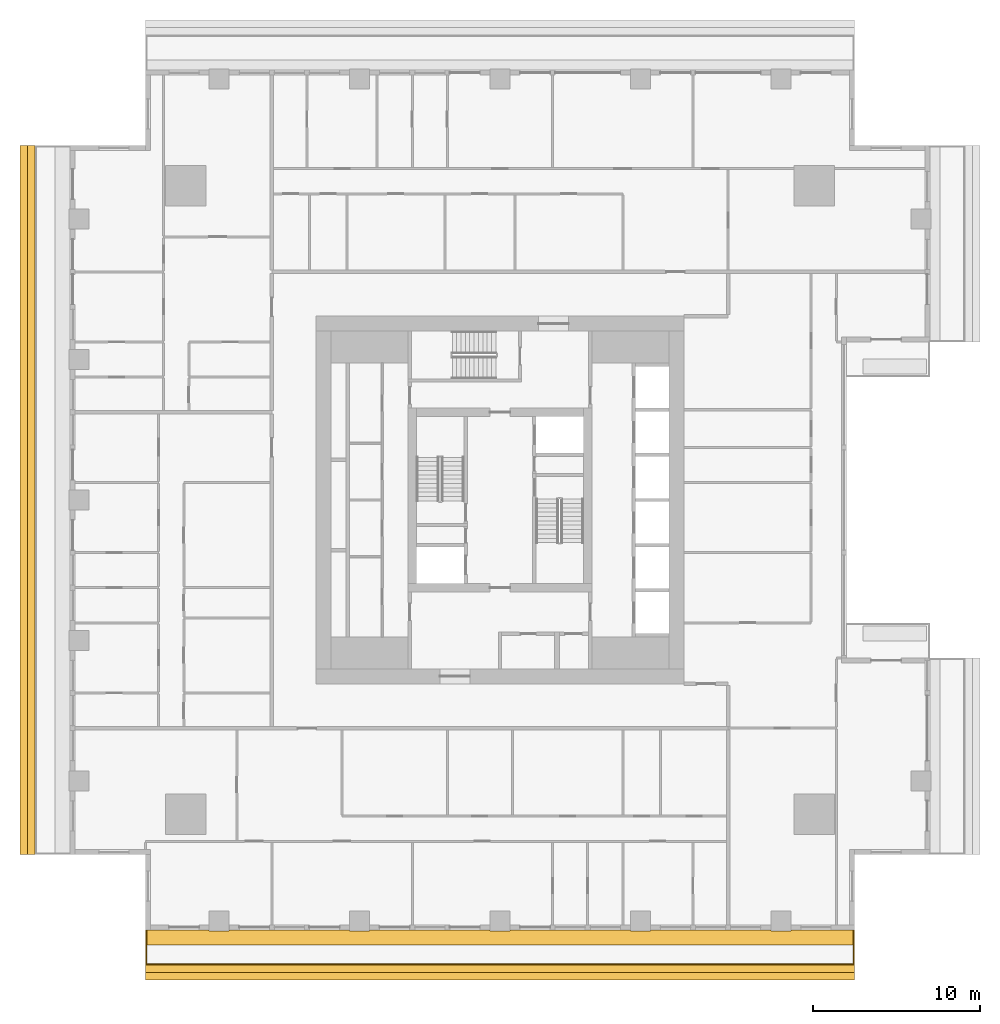
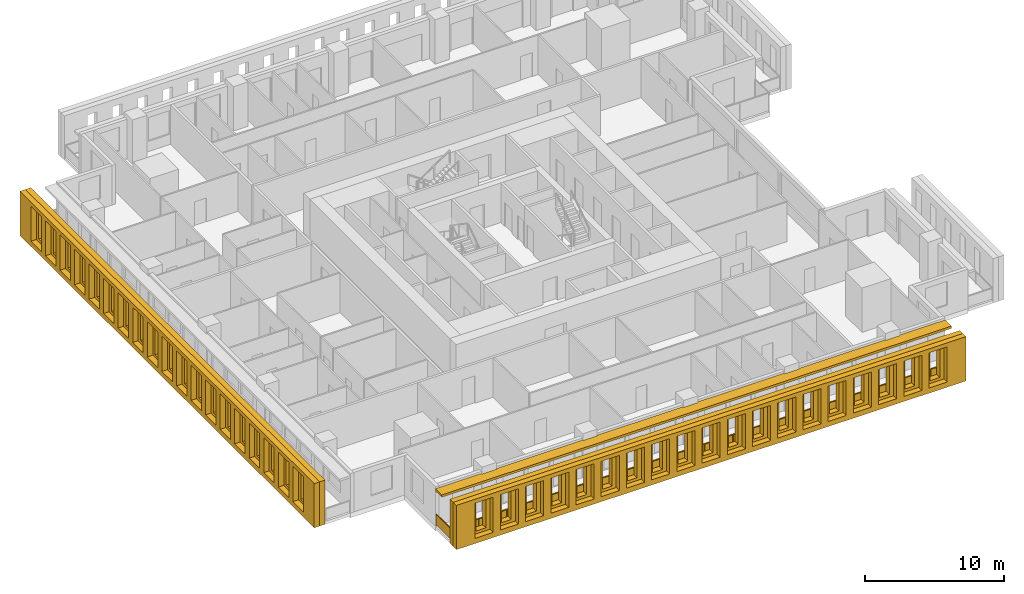
# One storey, part 10 of 15: 5 shading devices, 1 railing.
"""IFC4 building model written with IfcOpenShell, lengths in metres."""

import ifcopenshell
import ifcopenshell.guid

model = None  # the IFC model being written
_history = None  # IfcOwnerHistory: only IFC2X3 demands one
_inside = {}  # id of a spatial element -> (the spatial element, [elements in it])
_under = {}  # id of a project, library or spatial element -> (it, [spatial elements below it])
_declared = {}  # id of a project -> (the project, [libraries it declares])
_typed = {}  # id of a type object -> (the type object, [elements of that type])
_made_of = {}  # id of a material, layer set ... -> (it, [elements and type objects made of it])


def new_model(schema):
    """Start an empty IFC model of exactly this schema.

    Asked for "IFC4X3", IfcOpenShell would pick the latest addendum, in which some entities
    have other attributes; the version numbers below select the first issue.
    IFC2X3 requires an IfcOwnerHistory on every rooted entity: one is made here for all.
    """
    global model, _history
    if schema == "IFC4X3":
        model = ifcopenshell.file(schema_version=(4, 3, 0, 0))
    else:
        model = ifcopenshell.file(schema=schema)
    _inside.clear()
    _under.clear()
    _declared.clear()
    _typed.clear()
    _made_of.clear()
    _history = None
    if model.schema == "IFC2X3":
        org = make("IfcOrganization", Name="unknown")
        user = make(
            "IfcPersonAndOrganization",
            ThePerson=make("IfcPerson", FamilyName="unknown"),
            TheOrganization=org,
        )
        app = make(
            "IfcApplication",
            ApplicationDeveloper=org,
            Version="unknown",
            ApplicationFullName="unknown",
            ApplicationIdentifier="unknown",
        )
        _history = make(
            "IfcOwnerHistory",
            OwningUser=user,
            OwningApplication=app,
            ChangeAction="ADDED",
            CreationDate=0,
        )
    return model


def make(cls, **values):
    """One entity of the class cls with the attributes given. An attribute that is None is left unset."""
    return model.create_entity(
        cls, **{name: value for name, value in values.items() if value is not None}
    )


def rooted(cls, **values):
    """An entity with a GlobalId (a new one), such as an element, a storey or a relation."""
    return make(cls, GlobalId=ifcopenshell.guid.new(), OwnerHistory=_history, **values)


def si_unit(unit_type, name, prefix=None):
    """IfcSIUnit, for example si_unit("LENGTHUNIT", "METRE", prefix="MILLI")."""
    return make("IfcSIUnit", UnitType=unit_type, Prefix=prefix, Name=name)


def assignment(units):
    """IfcUnitAssignment: the units of a project."""
    return None if units is None else make("IfcUnitAssignment", Units=units)


def point(xyz):
    """IfcCartesianPoint."""
    return None if xyz is None else make("IfcCartesianPoint", Coordinates=xyz)


def direction(xyz):
    """IfcDirection."""
    return None if xyz is None else make("IfcDirection", DirectionRatios=xyz)


def frame(location, z_axis=None, x_axis=None):
    """IfcAxis2Placement3D, a coordinate frame: its origin and axes. An axis left out is left unset."""
    return make(
        "IfcAxis2Placement3D",
        Location=point(location),
        Axis=direction(z_axis),
        RefDirection=direction(x_axis),
    )


def frame_2d(location, x_axis=None):
    """IfcAxis2Placement2D, a coordinate frame in the plane: its origin and x axis."""
    return make(
        "IfcAxis2Placement2D", Location=point(location), RefDirection=direction(x_axis)
    )


def origin():
    """The frame at (0, 0, 0) with its axes left unset."""
    return frame((0.0, 0.0, 0.0))


def origin_2d():
    """The frame at (0, 0) in the plane with its x axis left unset."""
    return frame_2d((0.0, 0.0))


def place(relative_to, where):
    """IfcLocalPlacement: puts the frame where relative to a parent placement (None: the world)."""
    return make(
        "IfcLocalPlacement", PlacementRelTo=relative_to, RelativePlacement=where
    )


def context(
    kind, dimensions, precision=None, world=None, true_north=None, identifier=None
):
    """IfcGeometricRepresentationContext, for example the 3D "Model" context."""
    return make(
        "IfcGeometricRepresentationContext",
        ContextIdentifier=identifier,
        ContextType=kind,
        CoordinateSpaceDimension=dimensions,
        Precision=precision,
        WorldCoordinateSystem=world,
        TrueNorth=true_north,
    )


def subcontext(parent, identifier, kind, view, scale=None):
    """IfcGeometricRepresentationSubContext, for example "Body" below "Model"."""
    return make(
        "IfcGeometricRepresentationSubContext",
        ContextIdentifier=identifier,
        ContextType=kind,
        ParentContext=parent,
        TargetScale=scale,
        TargetView=view,
    )


def project(units=None, contexts=None):
    """IfcProject with its units and contexts."""
    return rooted(
        "IfcProject",
        Name="project",
        RepresentationContexts=contexts,
        UnitsInContext=assignment(units),
    )


def spatial(cls, under=None, at=None, **own):
    """A site, building, storey or space (cls), placed at a placement, below another one or the project."""
    s = rooted(cls, ObjectPlacement=at, **own)
    if under is not None:
        _under.setdefault(under.id(), (under, []))[1].append(s)
    return s


def polyline(points):
    """IfcPolyline through the points."""
    return make("IfcPolyline", Points=[point(p) for p in points])


def profile(cls, at=None, kind="AREA", **sizes):
    """A parametric profile (cls). Its sizes go by their IFC names, for example OverallWidth=200.0."""
    return make(cls, ProfileType=kind, Position=at, **sizes)


def rectangle(**sizes):
    """IfcRectangleProfileDef."""
    return profile("IfcRectangleProfileDef", **sizes)


def outline(outer, holes=None, kind="AREA"):
    """IfcArbitraryClosedProfileDef: a profile drawn as a closed curve; with holes, ...WithVoids."""
    if holes is None:
        return make("IfcArbitraryClosedProfileDef", ProfileType=kind, OuterCurve=outer)
    return make(
        "IfcArbitraryProfileDefWithVoids",
        ProfileType=kind,
        OuterCurve=outer,
        InnerCurves=holes,
    )


def extrude(swept, where, along, depth):
    """IfcExtrudedAreaSolid: the profile swept, set in the frame where, extruded along a direction by depth."""
    return make(
        "IfcExtrudedAreaSolid",
        SweptArea=swept,
        Position=where,
        ExtrudedDirection=direction(along),
        Depth=depth,
    )


def shape(context_of_items, identifier, shape_type, items):
    """IfcShapeRepresentation: the items that make up one representation, for example the "Body"."""
    return make(
        "IfcShapeRepresentation",
        ContextOfItems=context_of_items,
        RepresentationIdentifier=identifier,
        RepresentationType=shape_type,
        Items=items,
    )


def material(Name=None, Category=None):
    """IfcMaterial."""
    return make("IfcMaterial", Name=Name, Category=Category)


def layer(
    of_material, thickness, ventilated=None, Name=None, Category=None, Priority=None
):
    """IfcMaterialLayer: one layer of a wall or slab, of a material (None: an air gap)."""
    return make(
        "IfcMaterialLayer",
        Material=of_material,
        LayerThickness=thickness,
        IsVentilated=ventilated,
        Name=Name,
        Category=Category,
        Priority=Priority,
    )


def layer_set(layers, Name=None):
    """IfcMaterialLayerSet."""
    return make("IfcMaterialLayerSet", MaterialLayers=layers, LayerSetName=Name)


def made_of(thing, what):
    """Note that an element or type object is made of a material, layer set ...; save() writes the relation."""
    if what is not None:
        _made_of.setdefault(what.id(), (what, []))[1].append(thing)
    return thing


def type_object(cls, material=None, **own):
    """A type object (cls), such as IfcWallType, which elements share."""
    return made_of(rooted(cls, **own), material)


def element(
    cls,
    number,
    at=None,
    inside=None,
    cuts=None,
    type_object=None,
    material=None,
    context=None,
    identifier="Body",
    shape_type=None,
    held_by="IfcProductDefinitionShape",
    body=None,
    shapes=None,
    **own,
):
    """One element of the class cls, such as IfcWall. Its Tag is "e" and its number.

    at: its placement. inside: the storey or other place that contains it. cuts: it is an
    opening in that element (IfcRelVoidsElement). A single representation is given by context,
    identifier, shape_type and body (its items); several are given by shapes. held_by: the class
    of the entity that holds the representations. save() writes the other relations.
    """
    e = rooted(cls, Tag="e%d" % number, ObjectPlacement=at, **own)
    if body is not None:
        shapes = [shape(context, identifier, shape_type, body)]
    if shapes is not None:
        e.Representation = make(held_by, Representations=shapes)
    if inside is not None:
        _inside.setdefault(inside.id(), (inside, []))[1].append(e)
    if cuts is not None:
        rooted(
            "IfcRelVoidsElement", RelatingBuildingElement=cuts, RelatedOpeningElement=e
        )
    if type_object is not None:
        _typed.setdefault(type_object.id(), (type_object, []))[1].append(e)
    return made_of(e, material)


def aggregate(whole, parts):
    """IfcRelAggregates: a whole, such as a stair, and the parts it consists of."""
    return rooted("IfcRelAggregates", RelatingObject=whole, RelatedObjects=parts)


def save(model, path):
    """Write the relations noted so far, then the file.

    IfcRelAggregates (storeys below a building ...), IfcRelContainedInSpatialStructure (elements
    in a storey), IfcRelDefinesByType, IfcRelAssociatesMaterial and IfcRelDeclares: one each for
    every whole, place, type object, material and project.
    """
    for whole, parts in _under.values():
        aggregate(whole, parts)
    for where, things in _inside.values():
        rooted(
            "IfcRelContainedInSpatialStructure",
            RelatedElements=things,
            RelatingStructure=where,
        )
    for kind, things in _typed.values():
        rooted("IfcRelDefinesByType", RelatedObjects=things, RelatingType=kind)
    for what, things in _made_of.values():
        rooted("IfcRelAssociatesMaterial", RelatedObjects=things, RelatingMaterial=what)
    for by, libraries in _declared.values():
        rooted("IfcRelDeclares", RelatingContext=by, RelatedDefinitions=libraries)
    model.write(path)


model = new_model("IFC4")

# Units and contexts
model_context = context("Model", 3, precision=1e-05, world=origin(), true_north=direction((0.0, 1.0)))
body_context = subcontext(model_context, "Body", "Model", "MODEL_VIEW")
ifc_project = project(units=[si_unit("LENGTHUNIT", "METRE"), si_unit("AREAUNIT", "SQUARE_METRE"), si_unit("VOLUMEUNIT", "CUBIC_METRE"), si_unit("PLANEANGLEUNIT", "RADIAN"), si_unit("MASSUNIT", "GRAM", prefix="KILO")], contexts=[model_context])

# Site, building, storey
site_placement = place(None, origin())
site = spatial("IfcSite", under=ifc_project, at=site_placement, CompositionType="ELEMENT")
building_placement = place(site_placement, origin())
building = spatial("IfcBuilding", under=site, at=building_placement, Name="Khepri Terraces", CompositionType="ELEMENT")
storey_placement = place(building_placement, frame((0.0, 0.0, 211.800048828125)))
storey = spatial("IfcBuildingStorey", under=building, at=storey_placement, Name="L50", CompositionType="ELEMENT", Elevation=211.800048828125)

# Railing
ifc_material_1 = material(Name="Stainless steel grade 316", Category="steel")
railing_type = type_object("IfcRailingType", Name="GRD-BAL-1100", PredefinedType="GUARDRAIL", material=ifc_material_1)
railing_placement = place(storey_placement, frame((-21.169921875, -25.719970703125, 0.0)))
element("IfcRailing", 1, at=railing_placement, inside=storey, type_object=railing_type, Name="Balcony guard L50 S", PredefinedType="GUARDRAIL", context=body_context, shape_type="SweptSolid", body=[
    extrude(rectangle(XDim=0.050048828125, YDim=0.06005859375, at=origin_2d()), frame((0.0, 0.0, 1.070068359375), z_axis=(0.0, -1.0, 0.0), x_axis=(1.0, 0.0, 0.0)), (0.0, 0.0, 1.0), 2.050048828125),
    extrude(rectangle(XDim=2.0, YDim=0.011962890625, at=origin_2d()), frame((0.0, -1.02490234375, 0.10009765625), z_axis=(0.0, 0.0, 1.0), x_axis=(0.0, -1.0, 0.0)), (0.0, 0.0, 1.0), 0.93994140625),
    extrude(rectangle(XDim=0.050048828125, YDim=0.06005859375, at=origin_2d()), frame((0.0, -2.050048828125, 1.070068359375), z_axis=(1.0, 0.0, 0.0), x_axis=(0.0, 1.0, 0.0)), (0.0, 0.0, 1.0), 42.33984375),
    extrude(rectangle(XDim=2.30224609375, YDim=0.011962890625, at=origin_2d()), frame((1.176025390625, -2.050048828125, 0.10009765625), z_axis=(0.0, 0.0, 1.0), x_axis=(1.0, 0.0, 0.0)), (0.0, 0.0, 1.0), 0.93994140625),
    extrude(rectangle(XDim=2.30224609375, YDim=0.011962890625, at=origin_2d()), frame((3.5283203125, -2.050048828125, 0.10009765625), z_axis=(0.0, 0.0, 1.0), x_axis=(1.0, 0.0, 0.0)), (0.0, 0.0, 1.0), 0.93994140625),
    extrude(rectangle(XDim=2.30224609375, YDim=0.011962890625, at=origin_2d()), frame((5.880615234375, -2.050048828125, 0.10009765625), z_axis=(0.0, 0.0, 1.0), x_axis=(1.0, 0.0, 0.0)), (0.0, 0.0, 1.0), 0.93994140625),
    extrude(rectangle(XDim=2.30224609375, YDim=0.011962890625, at=origin_2d()), frame((8.232666015625, -2.050048828125, 0.10009765625), z_axis=(0.0, 0.0, 1.0), x_axis=(1.0, 0.0, 0.0)), (0.0, 0.0, 1.0), 0.93994140625),
    extrude(rectangle(XDim=2.30224609375, YDim=0.011962890625, at=origin_2d()), frame((10.5849609375, -2.050048828125, 0.10009765625), z_axis=(0.0, 0.0, 1.0), x_axis=(1.0, 0.0, 0.0)), (0.0, 0.0, 1.0), 0.93994140625),
    extrude(rectangle(XDim=2.30224609375, YDim=0.011962890625, at=origin_2d()), frame((12.937255859375, -2.050048828125, 0.10009765625), z_axis=(0.0, 0.0, 1.0), x_axis=(1.0, 0.0, 0.0)), (0.0, 0.0, 1.0), 0.93994140625),
    extrude(rectangle(XDim=2.30224609375, YDim=0.011962890625, at=origin_2d()), frame((15.289306640625, -2.050048828125, 0.10009765625), z_axis=(0.0, 0.0, 1.0), x_axis=(1.0, 0.0, 0.0)), (0.0, 0.0, 1.0), 0.93994140625),
    extrude(rectangle(XDim=2.30224609375, YDim=0.011962890625, at=origin_2d()), frame((17.6416015625, -2.050048828125, 0.10009765625), z_axis=(0.0, 0.0, 1.0), x_axis=(1.0, 0.0, 0.0)), (0.0, 0.0, 1.0), 0.93994140625),
    extrude(rectangle(XDim=2.30224609375, YDim=0.011962890625, at=origin_2d()), frame((19.993896484375, -2.050048828125, 0.10009765625), z_axis=(0.0, 0.0, 1.0), x_axis=(1.0, 0.0, 0.0)), (0.0, 0.0, 1.0), 0.93994140625),
    extrude(rectangle(XDim=2.30224609375, YDim=0.011962890625, at=origin_2d()), frame((22.345947265625, -2.050048828125, 0.10009765625), z_axis=(0.0, 0.0, 1.0), x_axis=(1.0, 0.0, 0.0)), (0.0, 0.0, 1.0), 0.93994140625),
    extrude(rectangle(XDim=2.30224609375, YDim=0.011962890625, at=origin_2d()), frame((24.6982421875, -2.050048828125, 0.10009765625), z_axis=(0.0, 0.0, 1.0), x_axis=(1.0, 0.0, 0.0)), (0.0, 0.0, 1.0), 0.93994140625),
    extrude(rectangle(XDim=2.30224609375, YDim=0.011962890625, at=origin_2d()), frame((27.050537109375, -2.050048828125, 0.10009765625), z_axis=(0.0, 0.0, 1.0), x_axis=(1.0, 0.0, 0.0)), (0.0, 0.0, 1.0), 0.93994140625),
    extrude(rectangle(XDim=2.30224609375, YDim=0.011962890625, at=origin_2d()), frame((29.402587890625, -2.050048828125, 0.10009765625), z_axis=(0.0, 0.0, 1.0), x_axis=(1.0, 0.0, 0.0)), (0.0, 0.0, 1.0), 0.93994140625),
    extrude(rectangle(XDim=2.30224609375, YDim=0.011962890625, at=origin_2d()), frame((31.7548828125, -2.050048828125, 0.10009765625), z_axis=(0.0, 0.0, 1.0), x_axis=(1.0, 0.0, 0.0)), (0.0, 0.0, 1.0), 0.93994140625),
    extrude(rectangle(XDim=2.30224609375, YDim=0.011962890625, at=origin_2d()), frame((34.107177734375, -2.050048828125, 0.10009765625), z_axis=(0.0, 0.0, 1.0), x_axis=(1.0, 0.0, 0.0)), (0.0, 0.0, 1.0), 0.93994140625),
    extrude(rectangle(XDim=2.30224609375, YDim=0.011962890625, at=origin_2d()), frame((36.459228515625, -2.050048828125, 0.10009765625), z_axis=(0.0, 0.0, 1.0), x_axis=(1.0, 0.0, 0.0)), (0.0, 0.0, 1.0), 0.93994140625),
    extrude(rectangle(XDim=2.30224609375, YDim=0.011962890625, at=origin_2d()), frame((38.8115234375, -2.050048828125, 0.10009765625), z_axis=(0.0, 0.0, 1.0), x_axis=(1.0, 0.0, 0.0)), (0.0, 0.0, 1.0), 0.93994140625),
    extrude(rectangle(XDim=2.30224609375, YDim=0.011962890625, at=origin_2d()), frame((41.163818359375, -2.050048828125, 0.10009765625), z_axis=(0.0, 0.0, 1.0), x_axis=(1.0, 0.0, 0.0)), (0.0, 0.0, 1.0), 0.93994140625),
    extrude(rectangle(XDim=0.050048828125, YDim=0.06005859375, at=origin_2d()), frame((42.33984375, -2.050048828125, 1.070068359375), z_axis=(0.0, 1.0, 0.0), x_axis=(-1.0, 0.0, 0.0)), (0.0, 0.0, 1.0), 2.050048828125),
    extrude(rectangle(XDim=2.0, YDim=0.011962890625, at=origin_2d()), frame((42.33984375, -1.02490234375, 0.10009765625), z_axis=(0.0, 0.0, 1.0), x_axis=(0.0, 1.0, 0.0)), (0.0, 0.0, 1.0), 0.93994140625),
    extrude(rectangle(XDim=0.050048828125, YDim=0.050048828125, at=origin_2d()), origin(), (0.0, 0.0, 1.0), 1.0400390625),
    extrude(rectangle(XDim=0.050048828125, YDim=0.050048828125, at=origin_2d()), frame((0.0, -2.050048828125, 0.0)), (0.0, 0.0, 1.0), 1.0400390625),
    extrude(rectangle(XDim=0.050048828125, YDim=0.050048828125, at=origin_2d()), frame((2.352294921875, -2.050048828125, 0.0)), (0.0, 0.0, 1.0), 1.0400390625),
    extrude(rectangle(XDim=0.050048828125, YDim=0.050048828125, at=origin_2d()), frame((4.704345703125, -2.050048828125, 0.0)), (0.0, 0.0, 1.0), 1.0400390625),
    extrude(rectangle(XDim=0.050048828125, YDim=0.050048828125, at=origin_2d()), frame((7.056640625, -2.050048828125, 0.0)), (0.0, 0.0, 1.0), 1.0400390625),
    extrude(rectangle(XDim=0.050048828125, YDim=0.050048828125, at=origin_2d()), frame((9.408935546875, -2.050048828125, 0.0)), (0.0, 0.0, 1.0), 1.0400390625),
    extrude(rectangle(XDim=0.050048828125, YDim=0.050048828125, at=origin_2d()), frame((11.760986328125, -2.050048828125, 0.0)), (0.0, 0.0, 1.0), 1.0400390625),
    extrude(rectangle(XDim=0.050048828125, YDim=0.050048828125, at=origin_2d()), frame((14.11328125, -2.050048828125, 0.0)), (0.0, 0.0, 1.0), 1.0400390625),
    extrude(rectangle(XDim=0.050048828125, YDim=0.050048828125, at=origin_2d()), frame((16.465576171875, -2.050048828125, 0.0)), (0.0, 0.0, 1.0), 1.0400390625),
    extrude(rectangle(XDim=0.050048828125, YDim=0.050048828125, at=origin_2d()), frame((18.817626953125, -2.050048828125, 0.0)), (0.0, 0.0, 1.0), 1.0400390625),
    extrude(rectangle(XDim=0.050048828125, YDim=0.050048828125, at=origin_2d()), frame((21.169921875, -2.050048828125, 0.0)), (0.0, 0.0, 1.0), 1.0400390625),
    extrude(rectangle(XDim=0.050048828125, YDim=0.050048828125, at=origin_2d()), frame((23.522216796875, -2.050048828125, 0.0)), (0.0, 0.0, 1.0), 1.0400390625),
    extrude(rectangle(XDim=0.050048828125, YDim=0.050048828125, at=origin_2d()), frame((25.874267578125, -2.050048828125, 0.0)), (0.0, 0.0, 1.0), 1.0400390625),
    extrude(rectangle(XDim=0.050048828125, YDim=0.050048828125, at=origin_2d()), frame((28.2265625, -2.050048828125, 0.0)), (0.0, 0.0, 1.0), 1.0400390625),
    extrude(rectangle(XDim=0.050048828125, YDim=0.050048828125, at=origin_2d()), frame((30.578857421875, -2.050048828125, 0.0)), (0.0, 0.0, 1.0), 1.0400390625),
    extrude(rectangle(XDim=0.050048828125, YDim=0.050048828125, at=origin_2d()), frame((32.930908203125, -2.050048828125, 0.0)), (0.0, 0.0, 1.0), 1.0400390625),
    extrude(rectangle(XDim=0.050048828125, YDim=0.050048828125, at=origin_2d()), frame((35.283203125, -2.050048828125, 0.0)), (0.0, 0.0, 1.0), 1.0400390625),
    extrude(rectangle(XDim=0.050048828125, YDim=0.050048828125, at=origin_2d()), frame((37.635498046875, -2.050048828125, 0.0)), (0.0, 0.0, 1.0), 1.0400390625),
    extrude(rectangle(XDim=0.050048828125, YDim=0.050048828125, at=origin_2d()), frame((39.987548828125, -2.050048828125, 0.0)), (0.0, 0.0, 1.0), 1.0400390625),
    extrude(rectangle(XDim=0.050048828125, YDim=0.050048828125, at=origin_2d()), frame((42.33984375, -2.050048828125, 0.0)), (0.0, 0.0, 1.0), 1.0400390625),
    extrude(rectangle(XDim=0.050048828125, YDim=0.050048828125, at=origin_2d()), frame((42.33984375, 0.0, 0.0)), (0.0, 0.0, 1.0), 1.0400390625),
])

# Shading devices
ifc_material_2 = material(Name="Precast concrete C50/60 warm stone", Category="masonry")
shading_device_type_1 = type_object("IfcShadingDeviceType", Name="SCR-CELL-INNER-450", PredefinedType="USERDEFINED", material=ifc_material_2)
shading_device_1_placement = place(storey_placement, frame((-21.219970703125, -27.820068359375, -0.25), z_axis=(0.0, -1.0, 0.0), x_axis=(1.0, 0.0, 0.0)))
element("IfcShadingDevice", 2, at=shading_device_1_placement, inside=storey, type_object=shading_device_type_1, Name="Cell screen L50 S in", ObjectType="SCREEN", PredefinedType="USERDEFINED", context=body_context, shape_type="SweptSolid", body=[
    extrude(outline(polyline([(0.0, 0.0), (42.43994140625, 0.0), (42.43994140625, 3.89990234375), (0.0, 3.89990234375), (0.0, 0.0)]), holes=[polyline([(1.91845703125, 0.699951171875), (2.7216796875, 0.699951171875), (2.7216796875, 3.300048828125), (1.91845703125, 3.300048828125), (1.91845703125, 0.699951171875)]), polyline([(4.018310546875, 0.699951171875), (4.821533203125, 0.699951171875), (4.821533203125, 3.300048828125), (4.018310546875, 3.300048828125), (4.018310546875, 0.699951171875)]), polyline([(6.118408203125, 0.699951171875), (6.921630859375, 0.699951171875), (6.921630859375, 3.300048828125), (6.118408203125, 3.300048828125), (6.118408203125, 0.699951171875)]), polyline([(8.218505859375, 0.699951171875), (9.021484375, 0.699951171875), (9.021484375, 3.300048828125), (8.218505859375, 3.300048828125), (8.218505859375, 0.699951171875)]), polyline([(10.318359375, 0.699951171875), (11.12158203125, 0.699951171875), (11.12158203125, 3.300048828125), (10.318359375, 3.300048828125), (10.318359375, 0.699951171875)]), polyline([(12.41845703125, 0.699951171875), (13.2216796875, 0.699951171875), (13.2216796875, 3.300048828125), (12.41845703125, 3.300048828125), (12.41845703125, 0.699951171875)]), polyline([(14.518310546875, 0.699951171875), (15.321533203125, 0.699951171875), (15.321533203125, 3.300048828125), (14.518310546875, 3.300048828125), (14.518310546875, 0.699951171875)]), polyline([(16.618408203125, 0.699951171875), (17.421630859375, 0.699951171875), (17.421630859375, 3.300048828125), (16.618408203125, 3.300048828125), (16.618408203125, 0.699951171875)]), polyline([(18.718505859375, 0.699951171875), (19.521484375, 0.699951171875), (19.521484375, 3.300048828125), (18.718505859375, 3.300048828125), (18.718505859375, 0.699951171875)]), polyline([(20.818359375, 0.699951171875), (21.62158203125, 0.699951171875), (21.62158203125, 3.300048828125), (20.818359375, 3.300048828125), (20.818359375, 0.699951171875)]), polyline([(22.91845703125, 0.699951171875), (23.7216796875, 0.699951171875), (23.7216796875, 3.300048828125), (22.91845703125, 3.300048828125), (22.91845703125, 0.699951171875)]), polyline([(25.018310546875, 0.699951171875), (25.821533203125, 0.699951171875), (25.821533203125, 3.300048828125), (25.018310546875, 3.300048828125), (25.018310546875, 0.699951171875)]), polyline([(27.118408203125, 0.699951171875), (27.921630859375, 0.699951171875), (27.921630859375, 3.300048828125), (27.118408203125, 3.300048828125), (27.118408203125, 0.699951171875)]), polyline([(29.218505859375, 0.699951171875), (30.021484375, 0.699951171875), (30.021484375, 3.300048828125), (29.218505859375, 3.300048828125), (29.218505859375, 0.699951171875)]), polyline([(31.318359375, 0.699951171875), (32.12158203125, 0.699951171875), (32.12158203125, 3.300048828125), (31.318359375, 3.300048828125), (31.318359375, 0.699951171875)]), polyline([(33.41845703125, 0.699951171875), (34.2216796875, 0.699951171875), (34.2216796875, 3.300048828125), (33.41845703125, 3.300048828125), (33.41845703125, 0.699951171875)]), polyline([(35.518310546875, 0.699951171875), (36.321533203125, 0.699951171875), (36.321533203125, 3.300048828125), (35.518310546875, 3.300048828125), (35.518310546875, 0.699951171875)]), polyline([(37.618408203125, 0.699951171875), (38.421630859375, 0.699951171875), (38.421630859375, 3.300048828125), (37.618408203125, 3.300048828125), (37.618408203125, 0.699951171875)]), polyline([(39.718505859375, 0.699951171875), (40.521484375, 0.699951171875), (40.521484375, 3.300048828125), (39.718505859375, 3.300048828125), (39.718505859375, 0.699951171875)])]), origin(), (0.0, 0.0, 1.0), 0.449951171875),
])
shading_device_2_placement = place(storey_placement, frame((-27.820068359375, 21.219970703125, -0.25), z_axis=(-1.0, 0.0, 0.0), x_axis=(0.0, -1.0, 0.0)))
element("IfcShadingDevice", 3, at=shading_device_2_placement, inside=storey, type_object=shading_device_type_1, Name="Cell screen L50 W in", ObjectType="SCREEN", PredefinedType="USERDEFINED", context=body_context, shape_type="SweptSolid", body=[
    extrude(outline(polyline([(0.0, 0.0), (42.43994140625, 0.0), (42.43994140625, 3.89990234375), (0.0, 3.89990234375), (0.0, 0.0)]), holes=[polyline([(1.91845703125, 0.699951171875), (2.7216796875, 0.699951171875), (2.7216796875, 3.300048828125), (1.91845703125, 3.300048828125), (1.91845703125, 0.699951171875)]), polyline([(4.018310546875, 0.699951171875), (4.821533203125, 0.699951171875), (4.821533203125, 3.300048828125), (4.018310546875, 3.300048828125), (4.018310546875, 0.699951171875)]), polyline([(6.118408203125, 0.699951171875), (6.921630859375, 0.699951171875), (6.921630859375, 3.300048828125), (6.118408203125, 3.300048828125), (6.118408203125, 0.699951171875)]), polyline([(8.218505859375, 0.699951171875), (9.021484375, 0.699951171875), (9.021484375, 3.300048828125), (8.218505859375, 3.300048828125), (8.218505859375, 0.699951171875)]), polyline([(10.318359375, 0.699951171875), (11.12158203125, 0.699951171875), (11.12158203125, 3.300048828125), (10.318359375, 3.300048828125), (10.318359375, 0.699951171875)]), polyline([(12.41845703125, 0.699951171875), (13.2216796875, 0.699951171875), (13.2216796875, 3.300048828125), (12.41845703125, 3.300048828125), (12.41845703125, 0.699951171875)]), polyline([(14.518310546875, 0.699951171875), (15.321533203125, 0.699951171875), (15.321533203125, 3.300048828125), (14.518310546875, 3.300048828125), (14.518310546875, 0.699951171875)]), polyline([(16.618408203125, 0.699951171875), (17.421630859375, 0.699951171875), (17.421630859375, 3.300048828125), (16.618408203125, 3.300048828125), (16.618408203125, 0.699951171875)]), polyline([(18.718505859375, 0.699951171875), (19.521484375, 0.699951171875), (19.521484375, 3.300048828125), (18.718505859375, 3.300048828125), (18.718505859375, 0.699951171875)]), polyline([(20.818359375, 0.699951171875), (21.62158203125, 0.699951171875), (21.62158203125, 3.300048828125), (20.818359375, 3.300048828125), (20.818359375, 0.699951171875)]), polyline([(22.91845703125, 0.699951171875), (23.7216796875, 0.699951171875), (23.7216796875, 3.300048828125), (22.91845703125, 3.300048828125), (22.91845703125, 0.699951171875)]), polyline([(25.018310546875, 0.699951171875), (25.821533203125, 0.699951171875), (25.821533203125, 3.300048828125), (25.018310546875, 3.300048828125), (25.018310546875, 0.699951171875)]), polyline([(27.118408203125, 0.699951171875), (27.921630859375, 0.699951171875), (27.921630859375, 3.300048828125), (27.118408203125, 3.300048828125), (27.118408203125, 0.699951171875)]), polyline([(29.218505859375, 0.699951171875), (30.021484375, 0.699951171875), (30.021484375, 3.300048828125), (29.218505859375, 3.300048828125), (29.218505859375, 0.699951171875)]), polyline([(31.318359375, 0.699951171875), (32.12158203125, 0.699951171875), (32.12158203125, 3.300048828125), (31.318359375, 3.300048828125), (31.318359375, 0.699951171875)]), polyline([(33.41845703125, 0.699951171875), (34.2216796875, 0.699951171875), (34.2216796875, 3.300048828125), (33.41845703125, 3.300048828125), (33.41845703125, 0.699951171875)]), polyline([(35.518310546875, 0.699951171875), (36.321533203125, 0.699951171875), (36.321533203125, 3.300048828125), (35.518310546875, 3.300048828125), (35.518310546875, 0.699951171875)]), polyline([(37.618408203125, 0.699951171875), (38.421630859375, 0.699951171875), (38.421630859375, 3.300048828125), (37.618408203125, 3.300048828125), (37.618408203125, 0.699951171875)]), polyline([(39.718505859375, 0.699951171875), (40.521484375, 0.699951171875), (40.521484375, 3.300048828125), (39.718505859375, 3.300048828125), (39.718505859375, 0.699951171875)])]), origin(), (0.0, 0.0, 1.0), 0.449951171875),
])
shading_device_type_2 = type_object("IfcShadingDeviceType", Name="SCR-CELL-OUTER-450", PredefinedType="USERDEFINED", material=ifc_material_2)
shading_device_3_placement = place(storey_placement, frame((-21.219970703125, -28.27001953125, -0.25), z_axis=(0.0, -1.0, 0.0), x_axis=(1.0, 0.0, 0.0)))
element("IfcShadingDevice", 4, at=shading_device_3_placement, inside=storey, type_object=shading_device_type_2, Name="Cell screen L50 S out", ObjectType="SCREEN", PredefinedType="USERDEFINED", context=body_context, shape_type="SweptSolid", body=[
    extrude(outline(polyline([(0.0, 0.0), (42.43994140625, 0.0), (42.43994140625, 3.89990234375), (0.0, 3.89990234375), (0.0, 0.0)]), holes=[polyline([(1.568359375, 0.449951171875), (3.071533203125, 0.449951171875), (3.071533203125, 3.550048828125), (1.568359375, 3.550048828125), (1.568359375, 0.449951171875)]), polyline([(3.66845703125, 0.449951171875), (5.171630859375, 0.449951171875), (5.171630859375, 3.550048828125), (3.66845703125, 3.550048828125), (3.66845703125, 0.449951171875)]), polyline([(5.768310546875, 0.449951171875), (7.271484375, 0.449951171875), (7.271484375, 3.550048828125), (5.768310546875, 3.550048828125), (5.768310546875, 0.449951171875)]), polyline([(7.868408203125, 0.449951171875), (9.37158203125, 0.449951171875), (9.37158203125, 3.550048828125), (7.868408203125, 3.550048828125), (7.868408203125, 0.449951171875)]), polyline([(9.968505859375, 0.449951171875), (11.4716796875, 0.449951171875), (11.4716796875, 3.550048828125), (9.968505859375, 3.550048828125), (9.968505859375, 0.449951171875)]), polyline([(12.068359375, 0.449951171875), (13.571533203125, 0.449951171875), (13.571533203125, 3.550048828125), (12.068359375, 3.550048828125), (12.068359375, 0.449951171875)]), polyline([(14.16845703125, 0.449951171875), (15.671630859375, 0.449951171875), (15.671630859375, 3.550048828125), (14.16845703125, 3.550048828125), (14.16845703125, 0.449951171875)]), polyline([(16.268310546875, 0.449951171875), (17.771484375, 0.449951171875), (17.771484375, 3.550048828125), (16.268310546875, 3.550048828125), (16.268310546875, 0.449951171875)]), polyline([(18.368408203125, 0.449951171875), (19.87158203125, 0.449951171875), (19.87158203125, 3.550048828125), (18.368408203125, 3.550048828125), (18.368408203125, 0.449951171875)]), polyline([(20.468505859375, 0.449951171875), (21.9716796875, 0.449951171875), (21.9716796875, 3.550048828125), (20.468505859375, 3.550048828125), (20.468505859375, 0.449951171875)]), polyline([(22.568359375, 0.449951171875), (24.071533203125, 0.449951171875), (24.071533203125, 3.550048828125), (22.568359375, 3.550048828125), (22.568359375, 0.449951171875)]), polyline([(24.66845703125, 0.449951171875), (26.171630859375, 0.449951171875), (26.171630859375, 3.550048828125), (24.66845703125, 3.550048828125), (24.66845703125, 0.449951171875)]), polyline([(26.768310546875, 0.449951171875), (28.271484375, 0.449951171875), (28.271484375, 3.550048828125), (26.768310546875, 3.550048828125), (26.768310546875, 0.449951171875)]), polyline([(28.868408203125, 0.449951171875), (30.37158203125, 0.449951171875), (30.37158203125, 3.550048828125), (28.868408203125, 3.550048828125), (28.868408203125, 0.449951171875)]), polyline([(30.968505859375, 0.449951171875), (32.4716796875, 0.449951171875), (32.4716796875, 3.550048828125), (30.968505859375, 3.550048828125), (30.968505859375, 0.449951171875)]), polyline([(33.068359375, 0.449951171875), (34.571533203125, 0.449951171875), (34.571533203125, 3.550048828125), (33.068359375, 3.550048828125), (33.068359375, 0.449951171875)]), polyline([(35.16845703125, 0.449951171875), (36.671630859375, 0.449951171875), (36.671630859375, 3.550048828125), (35.16845703125, 3.550048828125), (35.16845703125, 0.449951171875)]), polyline([(37.268310546875, 0.449951171875), (38.771484375, 0.449951171875), (38.771484375, 3.550048828125), (37.268310546875, 3.550048828125), (37.268310546875, 0.449951171875)]), polyline([(39.368408203125, 0.449951171875), (40.87158203125, 0.449951171875), (40.87158203125, 3.550048828125), (39.368408203125, 3.550048828125), (39.368408203125, 0.449951171875)])]), origin(), (0.0, 0.0, 1.0), 0.449951171875),
])
shading_device_4_placement = place(storey_placement, frame((-28.27001953125, 21.219970703125, -0.25), z_axis=(-1.0, 0.0, 0.0), x_axis=(0.0, -1.0, 0.0)))
element("IfcShadingDevice", 5, at=shading_device_4_placement, inside=storey, type_object=shading_device_type_2, Name="Cell screen L50 W out", ObjectType="SCREEN", PredefinedType="USERDEFINED", context=body_context, shape_type="SweptSolid", body=[
    extrude(outline(polyline([(0.0, 0.0), (42.43994140625, 0.0), (42.43994140625, 3.89990234375), (0.0, 3.89990234375), (0.0, 0.0)]), holes=[polyline([(1.568359375, 0.449951171875), (3.071533203125, 0.449951171875), (3.071533203125, 3.550048828125), (1.568359375, 3.550048828125), (1.568359375, 0.449951171875)]), polyline([(3.66845703125, 0.449951171875), (5.171630859375, 0.449951171875), (5.171630859375, 3.550048828125), (3.66845703125, 3.550048828125), (3.66845703125, 0.449951171875)]), polyline([(5.768310546875, 0.449951171875), (7.271484375, 0.449951171875), (7.271484375, 3.550048828125), (5.768310546875, 3.550048828125), (5.768310546875, 0.449951171875)]), polyline([(7.868408203125, 0.449951171875), (9.37158203125, 0.449951171875), (9.37158203125, 3.550048828125), (7.868408203125, 3.550048828125), (7.868408203125, 0.449951171875)]), polyline([(9.968505859375, 0.449951171875), (11.4716796875, 0.449951171875), (11.4716796875, 3.550048828125), (9.968505859375, 3.550048828125), (9.968505859375, 0.449951171875)]), polyline([(12.068359375, 0.449951171875), (13.571533203125, 0.449951171875), (13.571533203125, 3.550048828125), (12.068359375, 3.550048828125), (12.068359375, 0.449951171875)]), polyline([(14.16845703125, 0.449951171875), (15.671630859375, 0.449951171875), (15.671630859375, 3.550048828125), (14.16845703125, 3.550048828125), (14.16845703125, 0.449951171875)]), polyline([(16.268310546875, 0.449951171875), (17.771484375, 0.449951171875), (17.771484375, 3.550048828125), (16.268310546875, 3.550048828125), (16.268310546875, 0.449951171875)]), polyline([(18.368408203125, 0.449951171875), (19.87158203125, 0.449951171875), (19.87158203125, 3.550048828125), (18.368408203125, 3.550048828125), (18.368408203125, 0.449951171875)]), polyline([(20.468505859375, 0.449951171875), (21.9716796875, 0.449951171875), (21.9716796875, 3.550048828125), (20.468505859375, 3.550048828125), (20.468505859375, 0.449951171875)]), polyline([(22.568359375, 0.449951171875), (24.071533203125, 0.449951171875), (24.071533203125, 3.550048828125), (22.568359375, 3.550048828125), (22.568359375, 0.449951171875)]), polyline([(24.66845703125, 0.449951171875), (26.171630859375, 0.449951171875), (26.171630859375, 3.550048828125), (24.66845703125, 3.550048828125), (24.66845703125, 0.449951171875)]), polyline([(26.768310546875, 0.449951171875), (28.271484375, 0.449951171875), (28.271484375, 3.550048828125), (26.768310546875, 3.550048828125), (26.768310546875, 0.449951171875)]), polyline([(28.868408203125, 0.449951171875), (30.37158203125, 0.449951171875), (30.37158203125, 3.550048828125), (28.868408203125, 3.550048828125), (28.868408203125, 0.449951171875)]), polyline([(30.968505859375, 0.449951171875), (32.4716796875, 0.449951171875), (32.4716796875, 3.550048828125), (30.968505859375, 3.550048828125), (30.968505859375, 0.449951171875)]), polyline([(33.068359375, 0.449951171875), (34.571533203125, 0.449951171875), (34.571533203125, 3.550048828125), (33.068359375, 3.550048828125), (33.068359375, 0.449951171875)]), polyline([(35.16845703125, 0.449951171875), (36.671630859375, 0.449951171875), (36.671630859375, 3.550048828125), (35.16845703125, 3.550048828125), (35.16845703125, 0.449951171875)]), polyline([(37.268310546875, 0.449951171875), (38.771484375, 0.449951171875), (38.771484375, 3.550048828125), (37.268310546875, 3.550048828125), (37.268310546875, 0.449951171875)]), polyline([(39.368408203125, 0.449951171875), (40.87158203125, 0.449951171875), (40.87158203125, 3.550048828125), (39.368408203125, 3.550048828125), (39.368408203125, 0.449951171875)])]), origin(), (0.0, 0.0, 1.0), 0.449951171875),
])
ifc_layer = layer(ifc_material_2, 0.199951171875, Name="Precast concrete C50/60 warm stone", Category="masonry")
ifc_layer_set = layer_set([ifc_layer], Name="Precast concrete C50/60 warm stone")
shading_device_type_3 = type_object("IfcShadingDeviceType", Name="SSH-BAND-STONE-200", PredefinedType="USERDEFINED", material=ifc_layer_set)
shading_device_5_placement = place(storey_placement, frame((0.0, 0.0, 3.099853515625)))
element("IfcShadingDevice", 6, at=shading_device_5_placement, inside=storey, type_object=shading_device_type_3, Name="Sunshade band L50 S", ObjectType="SUNSHADE", PredefinedType="USERDEFINED", context=body_context, shape_type="SweptSolid", body=[
    extrude(outline(polyline([(-17.39990234375, -25.719970703125), (-21.219970703125, -25.719970703125), (-21.219970703125, -26.6201171875), (21.219970703125, -26.6201171875), (21.219970703125, -25.719970703125), (17.39990234375, -25.719970703125), (17.39990234375, -25.800048828125), (16.199951171875, -25.800048828125), (16.199951171875, -25.719970703125), (9.0, -25.719970703125), (9.0, -25.800048828125), (7.800048828125, -25.800048828125), (7.800048828125, -25.719970703125), (0.60009765625, -25.719970703125), (0.60009765625, -25.800048828125), (-0.60009765625, -25.800048828125), (-0.60009765625, -25.719970703125), (-7.800048828125, -25.719970703125), (-7.800048828125, -25.800048828125), (-9.0, -25.800048828125), (-9.0, -25.719970703125), (-16.199951171875, -25.719970703125), (-16.199951171875, -25.800048828125), (-17.39990234375, -25.800048828125), (-17.39990234375, -25.719970703125)])), origin(), (0.0, 0.0, 1.0), 0.2001953125),
])

save(model, "model.ifc")
